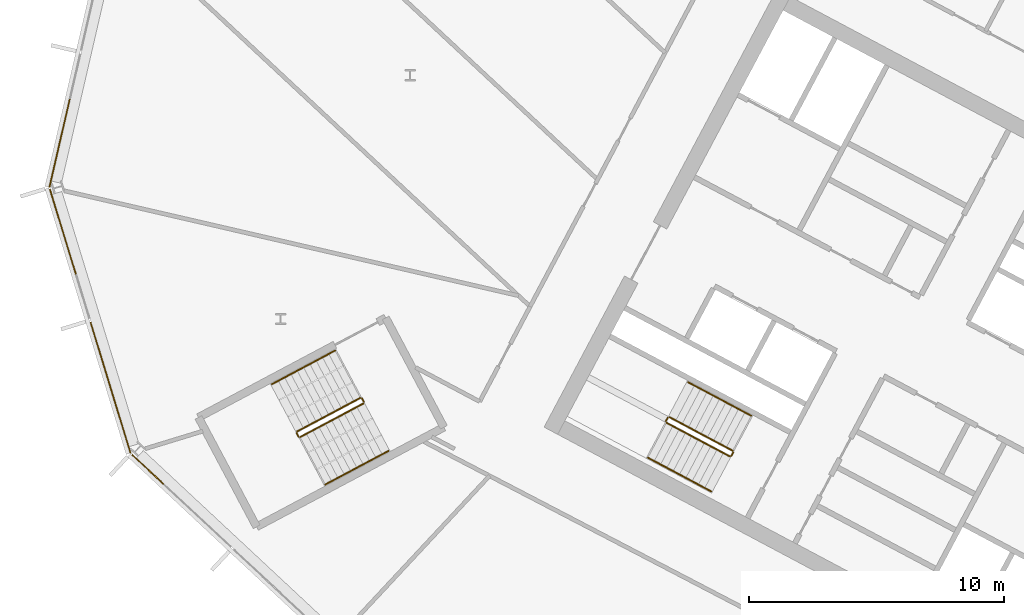
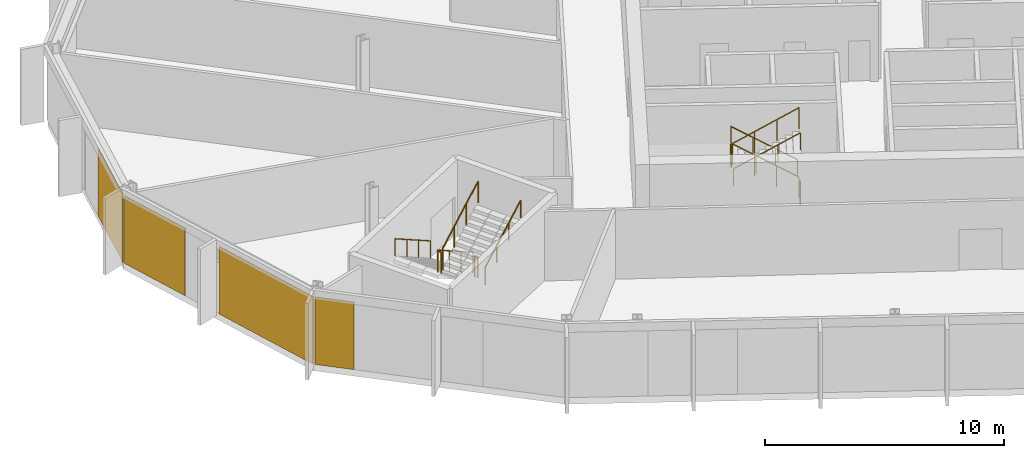
# One storey, part 20 of 26: 12 railings, 4 coverings, 3 elements without a shape of their own.
"""IFC4 building model written with IfcOpenShell, lengths in metres."""

from ifc_helpers import new_model, si_unit, direction, frame, origin, origin_2d, place, context, subcontext, project, spatial, polyline, rectangle, outline, extrude, material, layer, layer_set, type_object, element, aggregate, save


model = new_model("IFC4")

# Units and contexts
model_context = context("Model", 3, precision=1e-05, world=origin(), true_north=direction((0.0, 1.0)))
body_context = subcontext(model_context, "Body", "Model", "MODEL_VIEW")
ifc_project = project(units=[si_unit("LENGTHUNIT", "METRE"), si_unit("AREAUNIT", "SQUARE_METRE"), si_unit("VOLUMEUNIT", "CUBIC_METRE"), si_unit("PLANEANGLEUNIT", "RADIAN"), si_unit("MASSUNIT", "GRAM", prefix="KILO")], contexts=[model_context])

# Site, building, storey
site_placement = place(None, origin())
site = spatial("IfcSite", under=ifc_project, at=site_placement, CompositionType="ELEMENT")
building_placement = place(site_placement, origin())
building = spatial("IfcBuilding", under=site, at=building_placement, Name="Cormorant Relay Tower", CompositionType="ELEMENT")
storey_placement = place(building_placement, frame((0.0, 0.0, 220.800048828125)))
storey = spatial("IfcBuildingStorey", under=building, at=storey_placement, Name="L48", CompositionType="ELEMENT", Elevation=220.800048828125)

# Curtain wall, covering
ifc_material_1 = material(Name="Aluminium 6063-T6 anodised bronze", Category="aluminium")
ifc_layer_1 = layer(ifc_material_1, 0.199951171875)
ifc_layer_set_1 = layer_set([ifc_layer_1], Name="CW1 unitised bronze curtain wall with vertical fins")
curtain_wall_type = type_object("IfcCurtainWallType", Name="CW1 unitised bronze curtain wall with vertical fins", PredefinedType="NOTDEFINED", material=ifc_layer_set_1)
curtain_wall_1_placement = place(storey_placement, origin())
curtain_wall_1 = element("IfcCurtainWall", 1, at=curtain_wall_1_placement, inside=storey, type_object=curtain_wall_type, Name="CW1 curtain wall 13", PredefinedType="NOTDEFINED")
ifc_material_2 = material(Name="Pale bronze anodised aluminium insulated panel", Category="aluminium")
ifc_layer_2 = layer(ifc_material_2, 0.0400390625)
ifc_layer_set_2 = layer_set([ifc_layer_2], Name="CW1 pale bronze insulated panel 40")
covering_type = type_object("IfcCoveringType", Name="CW1 pale bronze insulated panel 40", PredefinedType="CLADDING", material=ifc_layer_set_2)
covering_1_placement = place(storey_placement, frame((-60.3388671875, 22.13232421875, 0.0), z_axis=(0.0, 0.0, 1.0), x_axis=(-0.224951054344, -0.974370064785, 0.0)))
covering_1 = element("IfcCovering", 2, at=covering_1_placement, type_object=covering_type, Name="CW1 panel S02", PredefinedType="CLADDING", context=body_context, shape_type="SweptSolid", body=[
    extrude(rectangle(XDim=3.560302734375, YDim=0.0400390625, at=origin_2d()), origin(), (0.0, 0.0, 1.0), 3.449951171875),
])
aggregate(curtain_wall_1, [covering_1])

# Curtain wall, coverings
curtain_wall_2_placement = place(storey_placement, origin())
curtain_wall_2 = element("IfcCurtainWall", 3, at=curtain_wall_2_placement, inside=storey, type_object=curtain_wall_type, Name="CW1 curtain wall 14", PredefinedType="NOTDEFINED")
covering_2_placement = place(storey_placement, frame((-60.20751953125, 18.6494140625, 0.0), z_axis=(0.0, 0.0, 1.0), x_axis=(0.292371704723, -0.956304755963, 0.0)))
covering_2 = element("IfcCovering", 4, at=covering_2_placement, type_object=covering_type, Name="CW1 panel S00", PredefinedType="CLADDING", context=body_context, shape_type="SweptSolid", body=[
    extrude(rectangle(XDim=3.485107421875, YDim=0.0400390625, at=origin_2d()), origin(), (0.0, 0.0, 1.0), 3.449951171875),
])
covering_3_placement = place(storey_placement, frame((-58.344482421875, 12.55517578125, 0.0), z_axis=(0.0, 0.0, 1.0), x_axis=(0.292371704723, -0.956304755963, 0.0)))
covering_3 = element("IfcCovering", 5, at=covering_3_placement, type_object=covering_type, Name="CW1 panel S02", PredefinedType="CLADDING", context=body_context, shape_type="SweptSolid", body=[
    extrude(rectangle(XDim=5.360107421875, YDim=0.0400390625, at=origin_2d()), origin(), (0.0, 0.0, 1.0), 3.449951171875),
])
aggregate(curtain_wall_2, [covering_2, covering_3])

# Curtain wall, covering
curtain_wall_3_placement = place(storey_placement, origin())
curtain_wall_3 = element("IfcCurtainWall", 6, at=curtain_wall_3_placement, inside=storey, type_object=curtain_wall_type, Name="CW1 curtain wall 15", PredefinedType="NOTDEFINED")
covering_4_placement = place(storey_placement, frame((-56.88427734375, 9.357421875, 0.0), z_axis=(0.0, 0.0, 1.0), x_axis=(0.731353701619, -0.681998360062, 0.0)))
covering_4 = element("IfcCovering", 7, at=covering_4_placement, type_object=covering_type, Name="CW1 panel S00", PredefinedType="CLADDING", context=body_context, shape_type="SweptSolid", body=[
    extrude(rectangle(XDim=1.685302734375, YDim=0.0400390625, at=origin_2d()), origin(), (0.0, 0.0, 1.0), 3.449951171875),
])
aggregate(curtain_wall_3, [covering_4])

# Railings
ifc_material_3 = material(Name="Steel ASTM A572 Grade 50 (Fy 345 MPa)", Category="steel")
railing_type_1 = type_object("IfcRailingType", Name="Stair guard 1100", PredefinedType="GUARDRAIL", material=ifc_material_3)
railing_1_placement = place(storey_placement, frame((-33.9921875, 10.08935546875, 0.17724609375)))
element("IfcRailing", 8, at=railing_1_placement, inside=storey, type_object=railing_type_1, Name="L48 A2 stair guard 1", PredefinedType="GUARDRAIL", context=body_context, shape_type="SweptSolid", body=[
    extrude(outline(polyline([(0.022216796875, 0.00927734375), (0.00927734375, 0.022216796875), (-0.00927734375, 0.022216796875), (-0.022216796875, 0.00927734375), (-0.022216796875, -0.00927734375), (-0.00927734375, -0.022216796875), (0.00927734375, -0.022216796875), (0.022216796875, -0.00927734375), (0.022216796875, 0.00927734375)])), frame((0.0, 0.0, 1.076171875), z_axis=(-0.746001213114, 0.396649272309, 0.534931345884), x_axis=(-0.469465464807, -0.882950835185, 0.0)), (0.0, 0.0, 1.0), 3.31396484375),
    extrude(outline(polyline([(0.019287109375, 0.008056640625), (0.008056640625, 0.019287109375), (-0.008056640625, 0.019287109375), (-0.019287109375, 0.008056640625), (-0.019287109375, -0.008056640625), (-0.008056640625, -0.019287109375), (0.008056640625, -0.019287109375), (0.019287109375, -0.008056640625), (0.019287109375, 0.008056640625)])), origin(), (0.0, 0.0, 1.0), 1.052001953125),
    extrude(outline(polyline([(0.019287109375, 0.008056640625), (0.008056640625, 0.019287109375), (-0.008056640625, 0.019287109375), (-0.019287109375, 0.008056640625), (-0.019287109375, -0.008056640625), (-0.008056640625, -0.019287109375), (0.008056640625, -0.019287109375), (0.019287109375, -0.008056640625), (0.019287109375, 0.008056640625)])), frame((-0.823974609375, 0.438232421875, 0.5908203125)), (0.0, 0.0, 1.0), 1.052001953125),
    extrude(outline(polyline([(0.019287109375, 0.008056640625), (0.008056640625, 0.019287109375), (-0.008056640625, 0.019287109375), (-0.019287109375, 0.008056640625), (-0.019287109375, -0.008056640625), (-0.008056640625, -0.019287109375), (0.008056640625, -0.019287109375), (0.019287109375, -0.008056640625), (0.019287109375, 0.008056640625)])), frame((-1.648193359375, 0.876220703125, 1.181884765625)), (0.0, 0.0, 1.0), 1.052001953125),
    extrude(outline(polyline([(0.019287109375, 0.008056640625), (0.008056640625, 0.019287109375), (-0.008056640625, 0.019287109375), (-0.019287109375, 0.008056640625), (-0.019287109375, -0.008056640625), (-0.008056640625, -0.019287109375), (0.008056640625, -0.019287109375), (0.019287109375, -0.008056640625), (0.019287109375, 0.008056640625)])), frame((-2.47216796875, 1.314453125, 1.772705078125)), (0.0, 0.0, 1.0), 1.052001953125),
])
railing_2_placement = place(storey_placement, frame((-36.531982421875, 11.38330078125, 1.949951171875)))
element("IfcRailing", 9, at=railing_2_placement, inside=storey, type_object=railing_type_1, Name="L48 A2 stair guard 2", PredefinedType="GUARDRAIL", context=body_context, shape_type="SweptSolid", body=[
    extrude(outline(polyline([(0.022216796875, 0.00927734375), (0.00927734375, 0.022216796875), (-0.00927734375, 0.022216796875), (-0.022216796875, 0.00927734375), (-0.022216796875, -0.00927734375), (-0.00927734375, -0.022216796875), (0.00927734375, -0.022216796875), (0.022216796875, -0.00927734375), (0.022216796875, 0.00927734375)])), frame((0.0, 0.0, 1.076171875), z_axis=(-0.469828648786, -0.882757634224, 0.0), x_axis=(0.882757634224, -0.469828648786, 0.0)), (0.0, 0.0, 1.0), 0.150146484375),
    extrude(outline(polyline([(0.019287109375, 0.008056640625), (0.008056640625, 0.019287109375), (-0.008056640625, 0.019287109375), (-0.019287109375, 0.008056640625), (-0.019287109375, -0.008056640625), (-0.008056640625, -0.019287109375), (0.008056640625, -0.019287109375), (0.019287109375, -0.008056640625), (0.019287109375, 0.008056640625)])), origin(), (0.0, 0.0, 1.0), 1.052001953125),
    extrude(outline(polyline([(0.019287109375, 0.008056640625), (0.008056640625, 0.019287109375), (-0.008056640625, 0.019287109375), (-0.019287109375, 0.008056640625), (-0.019287109375, -0.008056640625), (-0.008056640625, -0.019287109375), (0.008056640625, -0.019287109375), (0.019287109375, -0.008056640625), (0.019287109375, 0.008056640625)])), frame((-0.070556640625, -0.132568359375, 0.0)), (0.0, 0.0, 1.0), 1.052001953125),
])
railing_3_placement = place(storey_placement, frame((-36.581787109375, 11.18310546875, 2.127197265625)))
element("IfcRailing", 10, at=railing_3_placement, inside=storey, type_object=railing_type_1, Name="L48 A2 stair guard 3", PredefinedType="GUARDRAIL", context=body_context, shape_type="SweptSolid", body=[
    extrude(outline(polyline([(0.022216796875, 0.00927734375), (0.00927734375, 0.022216796875), (-0.00927734375, 0.022216796875), (-0.022216796875, 0.00927734375), (-0.022216796875, -0.00927734375), (-0.00927734375, -0.022216796875), (0.00927734375, -0.022216796875), (0.022216796875, -0.00927734375), (0.022216796875, 0.00927734375)])), frame((0.0, 0.0, 1.076171875), z_axis=(0.746001213114, -0.396649272309, 0.534931345884), x_axis=(0.469465464807, 0.882950835185, 0.0)), (0.0, 0.0, 1.0), 3.31396484375),
    extrude(outline(polyline([(0.019287109375, 0.008056640625), (0.008056640625, 0.019287109375), (-0.008056640625, 0.019287109375), (-0.019287109375, 0.008056640625), (-0.019287109375, -0.008056640625), (-0.008056640625, -0.019287109375), (0.008056640625, -0.019287109375), (0.019287109375, -0.008056640625), (0.019287109375, 0.008056640625)])), origin(), (0.0, 0.0, 1.0), 1.052001953125),
    extrude(outline(polyline([(0.019287109375, 0.008056640625), (0.008056640625, 0.019287109375), (-0.008056640625, 0.019287109375), (-0.019287109375, 0.008056640625), (-0.019287109375, -0.008056640625), (-0.008056640625, -0.019287109375), (0.008056640625, -0.019287109375), (0.019287109375, -0.008056640625), (0.019287109375, 0.008056640625)])), frame((0.823974609375, -0.438232421875, 0.5908203125)), (0.0, 0.0, 1.0), 1.052001953125),
    extrude(outline(polyline([(0.019287109375, 0.008056640625), (0.008056640625, 0.019287109375), (-0.008056640625, 0.019287109375), (-0.019287109375, 0.008056640625), (-0.019287109375, -0.008056640625), (-0.008056640625, -0.019287109375), (0.008056640625, -0.019287109375), (0.019287109375, -0.008056640625), (0.019287109375, 0.008056640625)])), frame((1.648193359375, -0.876220703125, 1.181884765625)), (0.0, 0.0, 1.0), 1.052001953125),
    extrude(outline(polyline([(0.019287109375, 0.008056640625), (0.008056640625, 0.019287109375), (-0.008056640625, 0.019287109375), (-0.019287109375, 0.008056640625), (-0.019287109375, -0.008056640625), (-0.008056640625, -0.019287109375), (0.008056640625, -0.019287109375), (0.019287109375, -0.008056640625), (0.019287109375, 0.008056640625)])), frame((2.47216796875, -1.314453125, 1.772705078125)), (0.0, 0.0, 1.0), 1.052001953125),
])
railing_4_placement = place(storey_placement, frame((-33.971435546875, 10.021728515625, 0.0)))
element("IfcRailing", 11, at=railing_4_placement, inside=storey, type_object=railing_type_1, Name="L48 A2 stair guard 4", PredefinedType="GUARDRAIL", context=body_context, shape_type="SweptSolid", body=[
    extrude(outline(polyline([(0.022216796875, 0.00927734375), (0.00927734375, 0.022216796875), (-0.00927734375, 0.022216796875), (-0.022216796875, 0.00927734375), (-0.022216796875, -0.00927734375), (-0.00927734375, -0.022216796875), (0.00927734375, -0.022216796875), (0.022216796875, -0.00927734375), (0.022216796875, 0.00927734375)])), frame((0.0, 0.0, 1.076171875), z_axis=(-0.470503732759, -0.882398003998, 0.0), x_axis=(0.882398003998, -0.470503732759, 0.0)), (0.0, 0.0, 1.0), 0.14990234375),
    extrude(outline(polyline([(0.019287109375, 0.008056640625), (0.008056640625, 0.019287109375), (-0.008056640625, 0.019287109375), (-0.019287109375, 0.008056640625), (-0.019287109375, -0.008056640625), (-0.008056640625, -0.019287109375), (0.008056640625, -0.019287109375), (0.019287109375, -0.008056640625), (0.019287109375, 0.008056640625)])), origin(), (0.0, 0.0, 1.0), 1.052001953125),
    extrude(outline(polyline([(0.019287109375, 0.008056640625), (0.008056640625, 0.019287109375), (-0.008056640625, 0.019287109375), (-0.019287109375, 0.008056640625), (-0.019287109375, -0.008056640625), (-0.008056640625, -0.019287109375), (0.008056640625, -0.019287109375), (0.019287109375, -0.008056640625), (0.019287109375, 0.008056640625)])), frame((-0.070556640625, -0.13232421875, 0.0)), (0.0, 0.0, 1.0), 1.052001953125),
])
railing_5_placement = place(storey_placement, frame((-48.5693359375, 12.155517578125, 0.17724609375)))
element("IfcRailing", 12, at=railing_5_placement, inside=storey, type_object=railing_type_1, Name="L48 RP1 stair guard 1", PredefinedType="GUARDRAIL", context=body_context, shape_type="SweptSolid", body=[
    extrude(outline(polyline([(0.022216796875, 0.00927734375), (0.00927734375, 0.022216796875), (-0.00927734375, 0.022216796875), (-0.022216796875, 0.00927734375), (-0.022216796875, -0.00927734375), (-0.00927734375, -0.022216796875), (0.00927734375, -0.022216796875), (0.022216796875, -0.00927734375), (0.022216796875, 0.00927734375)])), frame((0.0, 0.0, 1.076171875), z_axis=(-0.746012083385, -0.396689549623, 0.534886317514), x_axis=(0.469497295046, -0.882933910293, 0.0)), (0.0, 0.0, 1.0), 3.314208984375),
    extrude(outline(polyline([(0.019287109375, 0.008056640625), (0.008056640625, 0.019287109375), (-0.008056640625, 0.019287109375), (-0.019287109375, 0.008056640625), (-0.019287109375, -0.008056640625), (-0.008056640625, -0.019287109375), (0.008056640625, -0.019287109375), (0.019287109375, -0.008056640625), (0.019287109375, 0.008056640625)])), origin(), (0.0, 0.0, 1.0), 1.052001953125),
    extrude(outline(polyline([(0.019287109375, 0.008056640625), (0.008056640625, 0.019287109375), (-0.008056640625, 0.019287109375), (-0.019287109375, 0.008056640625), (-0.019287109375, -0.008056640625), (-0.008056640625, -0.019287109375), (0.008056640625, -0.019287109375), (0.019287109375, -0.008056640625), (0.019287109375, 0.008056640625)])), frame((-0.82421875, -0.438232421875, 0.5908203125)), (0.0, 0.0, 1.0), 1.052001953125),
    extrude(outline(polyline([(0.019287109375, 0.008056640625), (0.008056640625, 0.019287109375), (-0.008056640625, 0.019287109375), (-0.019287109375, 0.008056640625), (-0.019287109375, -0.008056640625), (-0.008056640625, -0.019287109375), (0.008056640625, -0.019287109375), (0.019287109375, -0.008056640625), (0.019287109375, 0.008056640625)])), frame((-1.648193359375, -0.87646484375, 1.181884765625)), (0.0, 0.0, 1.0), 1.052001953125),
    extrude(outline(polyline([(0.019287109375, 0.008056640625), (0.008056640625, 0.019287109375), (-0.008056640625, 0.019287109375), (-0.019287109375, 0.008056640625), (-0.019287109375, -0.008056640625), (-0.008056640625, -0.019287109375), (0.008056640625, -0.019287109375), (0.019287109375, -0.008056640625), (0.019287109375, 0.008056640625)])), frame((-2.472412109375, -1.314697265625, 1.772705078125)), (0.0, 0.0, 1.0), 1.052001953125),
])
railing_6_placement = place(storey_placement, frame((-51.062255859375, 10.773193359375, 1.949951171875)))
element("IfcRailing", 13, at=railing_6_placement, inside=storey, type_object=railing_type_1, Name="L48 RP1 stair guard 2", PredefinedType="GUARDRAIL", context=body_context, shape_type="SweptSolid", body=[
    extrude(outline(polyline([(0.022216796875, 0.00927734375), (0.00927734375, 0.022216796875), (-0.00927734375, 0.022216796875), (-0.022216796875, 0.00927734375), (-0.022216796875, -0.00927734375), (-0.00927734375, -0.022216796875), (0.00927734375, -0.022216796875), (0.022216796875, -0.00927734375), (0.022216796875, 0.00927734375)])), frame((0.0, 0.0, 1.076171875), z_axis=(0.469234640946, -0.883073525669, 0.0), x_axis=(0.883073525669, 0.469234640946, 0.0)), (0.0, 0.0, 1.0), 0.14990234375),
    extrude(outline(polyline([(0.019287109375, 0.008056640625), (0.008056640625, 0.019287109375), (-0.008056640625, 0.019287109375), (-0.019287109375, 0.008056640625), (-0.019287109375, -0.008056640625), (-0.008056640625, -0.019287109375), (0.008056640625, -0.019287109375), (0.019287109375, -0.008056640625), (0.019287109375, 0.008056640625)])), origin(), (0.0, 0.0, 1.0), 1.052001953125),
    extrude(outline(polyline([(0.019287109375, 0.008056640625), (0.008056640625, 0.019287109375), (-0.008056640625, 0.019287109375), (-0.019287109375, 0.008056640625), (-0.019287109375, -0.008056640625), (-0.008056640625, -0.019287109375), (0.008056640625, -0.019287109375), (0.019287109375, -0.008056640625), (0.019287109375, 0.008056640625)])), frame((0.0703125, -0.13232421875, 0.0)), (0.0, 0.0, 1.0), 1.052001953125),
])
railing_7_placement = place(storey_placement, frame((-50.92431640625, 10.6201171875, 2.127197265625)))
element("IfcRailing", 14, at=railing_7_placement, inside=storey, type_object=railing_type_1, Name="L48 RP1 stair guard 3", PredefinedType="GUARDRAIL", context=body_context, shape_type="SweptSolid", body=[
    extrude(outline(polyline([(0.022216796875, 0.00927734375), (0.00927734375, 0.022216796875), (-0.00927734375, 0.022216796875), (-0.022216796875, 0.00927734375), (-0.022216796875, -0.00927734375), (-0.00927734375, -0.022216796875), (0.00927734375, -0.022216796875), (0.022216796875, -0.00927734375), (0.022216796875, 0.00927734375)])), frame((0.0, 0.0, 1.076171875), z_axis=(0.746033882577, 0.396627473466, 0.534901947407), x_axis=(-0.469429322983, 0.882970050864, 0.0)), (0.0, 0.0, 1.0), 3.31396484375),
    extrude(outline(polyline([(0.019287109375, 0.008056640625), (0.008056640625, 0.019287109375), (-0.008056640625, 0.019287109375), (-0.019287109375, 0.008056640625), (-0.019287109375, -0.008056640625), (-0.008056640625, -0.019287109375), (0.008056640625, -0.019287109375), (0.019287109375, -0.008056640625), (0.019287109375, 0.008056640625)])), origin(), (0.0, 0.0, 1.0), 1.052001953125),
    extrude(outline(polyline([(0.019287109375, 0.008056640625), (0.008056640625, 0.019287109375), (-0.008056640625, 0.019287109375), (-0.019287109375, 0.008056640625), (-0.019287109375, -0.008056640625), (-0.008056640625, -0.019287109375), (0.008056640625, -0.019287109375), (0.019287109375, -0.008056640625), (0.019287109375, 0.008056640625)])), frame((0.82421875, 0.438232421875, 0.5908203125)), (0.0, 0.0, 1.0), 1.052001953125),
    extrude(outline(polyline([(0.019287109375, 0.008056640625), (0.008056640625, 0.019287109375), (-0.008056640625, 0.019287109375), (-0.019287109375, 0.008056640625), (-0.019287109375, -0.008056640625), (-0.008056640625, -0.019287109375), (0.008056640625, -0.019287109375), (0.019287109375, -0.008056640625), (0.019287109375, 0.008056640625)])), frame((1.648193359375, 0.876220703125, 1.181884765625)), (0.0, 0.0, 1.0), 1.052001953125),
    extrude(outline(polyline([(0.019287109375, 0.008056640625), (0.008056640625, 0.019287109375), (-0.008056640625, 0.019287109375), (-0.019287109375, 0.008056640625), (-0.019287109375, -0.008056640625), (-0.008056640625, -0.019287109375), (0.008056640625, -0.019287109375), (0.019287109375, -0.008056640625), (0.019287109375, 0.008056640625)])), frame((2.472412109375, 1.314453125, 1.772705078125)), (0.0, 0.0, 1.0), 1.052001953125),
])
railing_8_placement = place(storey_placement, frame((-48.501708984375, 12.134765625, 0.0)))
element("IfcRailing", 15, at=railing_8_placement, inside=storey, type_object=railing_type_1, Name="L48 RP1 stair guard 4", PredefinedType="GUARDRAIL", context=body_context, shape_type="SweptSolid", body=[
    extrude(outline(polyline([(0.022216796875, 0.00927734375), (0.00927734375, 0.022216796875), (-0.00927734375, 0.022216796875), (-0.022216796875, 0.00927734375), (-0.022216796875, -0.00927734375), (-0.00927734375, -0.022216796875), (0.00927734375, -0.022216796875), (0.022216796875, -0.00927734375), (0.022216796875, 0.00927734375)])), frame((0.0, 0.0, 1.076171875), z_axis=(0.46856034887, -0.8834314911, 0.0), x_axis=(0.8834314911, 0.46856034887, 0.0)), (0.0, 0.0, 1.0), 0.150146484375),
    extrude(outline(polyline([(0.019287109375, 0.008056640625), (0.008056640625, 0.019287109375), (-0.008056640625, 0.019287109375), (-0.019287109375, 0.008056640625), (-0.019287109375, -0.008056640625), (-0.008056640625, -0.019287109375), (0.008056640625, -0.019287109375), (0.019287109375, -0.008056640625), (0.019287109375, 0.008056640625)])), origin(), (0.0, 0.0, 1.0), 1.052001953125),
    extrude(outline(polyline([(0.019287109375, 0.008056640625), (0.008056640625, 0.019287109375), (-0.008056640625, 0.019287109375), (-0.019287109375, 0.008056640625), (-0.019287109375, -0.008056640625), (-0.008056640625, -0.019287109375), (0.008056640625, -0.019287109375), (0.019287109375, -0.008056640625), (0.019287109375, 0.008056640625)])), frame((0.0703125, -0.132568359375, 0.0)), (0.0, 0.0, 1.0), 1.052001953125),
])
ifc_material_4 = material(Name="Steel ASTM A572 Grade 50 (Fy 345 MPa)", Category="steel")
railing_type_2 = type_object("IfcRailingType", Name="Stair handrail 900", PredefinedType="HANDRAIL", material=ifc_material_4)
railing_9_placement = place(storey_placement, frame((-33.264404296875, 11.4580078125, 0.17724609375)))
element("IfcRailing", 16, at=railing_9_placement, inside=storey, type_object=railing_type_2, Name="L48 A2 stair handrail 1", PredefinedType="HANDRAIL", context=body_context, shape_type="SweptSolid", body=[
    extrude(outline(polyline([(0.022216796875, 0.00927734375), (0.00927734375, 0.022216796875), (-0.00927734375, 0.022216796875), (-0.022216796875, 0.00927734375), (-0.022216796875, -0.00927734375), (-0.00927734375, -0.022216796875), (0.00927734375, -0.022216796875), (0.022216796875, -0.00927734375), (0.022216796875, 0.00927734375)])), frame((0.0, 0.0, 0.8759765625), z_axis=(-0.746033882577, 0.396627473466, 0.534901947407), x_axis=(-0.469429322983, -0.882970050864, 0.0)), (0.0, 0.0, 1.0), 3.31396484375),
    extrude(outline(polyline([(0.019287109375, 0.008056640625), (0.008056640625, 0.019287109375), (-0.008056640625, 0.019287109375), (-0.019287109375, 0.008056640625), (-0.019287109375, -0.008056640625), (-0.008056640625, -0.019287109375), (0.008056640625, -0.019287109375), (0.019287109375, -0.008056640625), (0.019287109375, 0.008056640625)])), origin(), (0.0, 0.0, 1.0), 0.851806640625),
    extrude(outline(polyline([(0.019287109375, 0.008056640625), (0.008056640625, 0.019287109375), (-0.008056640625, 0.019287109375), (-0.019287109375, 0.008056640625), (-0.019287109375, -0.008056640625), (-0.008056640625, -0.019287109375), (0.008056640625, -0.019287109375), (0.019287109375, -0.008056640625), (0.019287109375, 0.008056640625)])), frame((-0.82421875, 0.438232421875, 0.5908203125)), (0.0, 0.0, 1.0), 0.851806640625),
    extrude(outline(polyline([(0.019287109375, 0.008056640625), (0.008056640625, 0.019287109375), (-0.008056640625, 0.019287109375), (-0.019287109375, 0.008056640625), (-0.019287109375, -0.008056640625), (-0.008056640625, -0.019287109375), (0.008056640625, -0.019287109375), (0.019287109375, -0.008056640625), (0.019287109375, 0.008056640625)])), frame((-1.648193359375, 0.876220703125, 1.181884765625)), (0.0, 0.0, 1.0), 0.851806640625),
    extrude(outline(polyline([(0.019287109375, 0.008056640625), (0.008056640625, 0.019287109375), (-0.008056640625, 0.019287109375), (-0.019287109375, 0.008056640625), (-0.019287109375, -0.008056640625), (-0.008056640625, -0.019287109375), (0.008056640625, -0.019287109375), (0.019287109375, -0.008056640625), (0.019287109375, 0.008056640625)])), frame((-2.472412109375, 1.314453125, 1.772705078125)), (0.0, 0.0, 1.0), 0.851806640625),
])
railing_10_placement = place(storey_placement, frame((-37.3095703125, 9.814453125, 2.127197265625)))
element("IfcRailing", 17, at=railing_10_placement, inside=storey, type_object=railing_type_2, Name="L48 A2 stair handrail 2", PredefinedType="HANDRAIL", context=body_context, shape_type="SweptSolid", body=[
    extrude(outline(polyline([(0.022216796875, 0.00927734375), (0.00927734375, 0.022216796875), (-0.00927734375, 0.022216796875), (-0.022216796875, 0.00927734375), (-0.022216796875, -0.00927734375), (-0.00927734375, -0.022216796875), (0.00927734375, -0.022216796875), (0.022216796875, -0.00927734375), (0.022216796875, 0.00927734375)])), frame((0.0, 0.0, 0.8759765625), z_axis=(0.746033882577, -0.396627473466, 0.534901947407), x_axis=(0.469429322983, 0.882970050864, 0.0)), (0.0, 0.0, 1.0), 3.31396484375),
    extrude(outline(polyline([(0.019287109375, 0.008056640625), (0.008056640625, 0.019287109375), (-0.008056640625, 0.019287109375), (-0.019287109375, 0.008056640625), (-0.019287109375, -0.008056640625), (-0.008056640625, -0.019287109375), (0.008056640625, -0.019287109375), (0.019287109375, -0.008056640625), (0.019287109375, 0.008056640625)])), origin(), (0.0, 0.0, 1.0), 0.851806640625),
    extrude(outline(polyline([(0.019287109375, 0.008056640625), (0.008056640625, 0.019287109375), (-0.008056640625, 0.019287109375), (-0.019287109375, 0.008056640625), (-0.019287109375, -0.008056640625), (-0.008056640625, -0.019287109375), (0.008056640625, -0.019287109375), (0.019287109375, -0.008056640625), (0.019287109375, 0.008056640625)])), frame((0.82421875, -0.438232421875, 0.5908203125)), (0.0, 0.0, 1.0), 0.851806640625),
    extrude(outline(polyline([(0.019287109375, 0.008056640625), (0.008056640625, 0.019287109375), (-0.008056640625, 0.019287109375), (-0.019287109375, 0.008056640625), (-0.019287109375, -0.008056640625), (-0.008056640625, -0.019287109375), (0.008056640625, -0.019287109375), (0.019287109375, -0.008056640625), (0.019287109375, 0.008056640625)])), frame((1.648193359375, -0.876220703125, 1.181884765625)), (0.0, 0.0, 1.0), 0.851806640625),
    extrude(outline(polyline([(0.019287109375, 0.008056640625), (0.008056640625, 0.019287109375), (-0.008056640625, 0.019287109375), (-0.019287109375, 0.008056640625), (-0.019287109375, -0.008056640625), (-0.008056640625, -0.019287109375), (0.008056640625, -0.019287109375), (0.019287109375, -0.008056640625), (0.019287109375, 0.008056640625)])), frame((2.472412109375, -1.314453125, 1.772705078125)), (0.0, 0.0, 1.0), 0.851806640625),
])
railing_11_placement = place(storey_placement, frame((-49.55517578125, 14.009521484375, 0.17724609375)))
element("IfcRailing", 18, at=railing_11_placement, inside=storey, type_object=railing_type_2, Name="L48 RP1 stair handrail 1", PredefinedType="HANDRAIL", context=body_context, shape_type="SweptSolid", body=[
    extrude(outline(polyline([(0.022216796875, 0.00927734375), (0.00927734375, 0.022216796875), (-0.00927734375, 0.022216796875), (-0.022216796875, 0.00927734375), (-0.022216796875, -0.00927734375), (-0.00927734375, -0.022216796875), (0.00927734375, -0.022216796875), (0.022216796875, -0.00927734375), (0.022216796875, 0.00927734375)])), frame((0.0, 0.0, 0.8759765625), z_axis=(-0.746033882577, -0.396627473466, 0.534901947407), x_axis=(0.469429322983, -0.882970050864, 0.0)), (0.0, 0.0, 1.0), 3.31396484375),
    extrude(outline(polyline([(0.019287109375, 0.008056640625), (0.008056640625, 0.019287109375), (-0.008056640625, 0.019287109375), (-0.019287109375, 0.008056640625), (-0.019287109375, -0.008056640625), (-0.008056640625, -0.019287109375), (0.008056640625, -0.019287109375), (0.019287109375, -0.008056640625), (0.019287109375, 0.008056640625)])), origin(), (0.0, 0.0, 1.0), 0.851806640625),
    extrude(outline(polyline([(0.019287109375, 0.008056640625), (0.008056640625, 0.019287109375), (-0.008056640625, 0.019287109375), (-0.019287109375, 0.008056640625), (-0.019287109375, -0.008056640625), (-0.008056640625, -0.019287109375), (0.008056640625, -0.019287109375), (0.019287109375, -0.008056640625), (0.019287109375, 0.008056640625)])), frame((-0.82421875, -0.438232421875, 0.5908203125)), (0.0, 0.0, 1.0), 0.851806640625),
    extrude(outline(polyline([(0.019287109375, 0.008056640625), (0.008056640625, 0.019287109375), (-0.008056640625, 0.019287109375), (-0.019287109375, 0.008056640625), (-0.019287109375, -0.008056640625), (-0.008056640625, -0.019287109375), (0.008056640625, -0.019287109375), (0.019287109375, -0.008056640625), (0.019287109375, 0.008056640625)])), frame((-1.648193359375, -0.876220703125, 1.181884765625)), (0.0, 0.0, 1.0), 0.851806640625),
    extrude(outline(polyline([(0.019287109375, 0.008056640625), (0.008056640625, 0.019287109375), (-0.008056640625, 0.019287109375), (-0.019287109375, 0.008056640625), (-0.019287109375, -0.008056640625), (-0.008056640625, -0.019287109375), (0.008056640625, -0.019287109375), (0.019287109375, -0.008056640625), (0.019287109375, 0.008056640625)])), frame((-2.472412109375, -1.314453125, 1.772705078125)), (0.0, 0.0, 1.0), 0.851806640625),
])
railing_12_placement = place(storey_placement, frame((-49.9384765625, 8.765869140625, 2.127197265625)))
element("IfcRailing", 19, at=railing_12_placement, inside=storey, type_object=railing_type_2, Name="L48 RP1 stair handrail 2", PredefinedType="HANDRAIL", context=body_context, shape_type="SweptSolid", body=[
    extrude(outline(polyline([(0.022216796875, 0.00927734375), (0.00927734375, 0.022216796875), (-0.00927734375, 0.022216796875), (-0.022216796875, 0.00927734375), (-0.022216796875, -0.00927734375), (-0.00927734375, -0.022216796875), (0.00927734375, -0.022216796875), (0.022216796875, -0.00927734375), (0.022216796875, 0.00927734375)])), frame((0.0, 0.0, 0.8759765625), z_axis=(0.746012083385, 0.396689549623, 0.534886317514), x_axis=(-0.469497295046, 0.882933910293, 0.0)), (0.0, 0.0, 1.0), 3.314208984375),
    extrude(outline(polyline([(0.019287109375, 0.008056640625), (0.008056640625, 0.019287109375), (-0.008056640625, 0.019287109375), (-0.019287109375, 0.008056640625), (-0.019287109375, -0.008056640625), (-0.008056640625, -0.019287109375), (0.008056640625, -0.019287109375), (0.019287109375, -0.008056640625), (0.019287109375, 0.008056640625)])), origin(), (0.0, 0.0, 1.0), 0.851806640625),
    extrude(outline(polyline([(0.019287109375, 0.008056640625), (0.008056640625, 0.019287109375), (-0.008056640625, 0.019287109375), (-0.019287109375, 0.008056640625), (-0.019287109375, -0.008056640625), (-0.008056640625, -0.019287109375), (0.008056640625, -0.019287109375), (0.019287109375, -0.008056640625), (0.019287109375, 0.008056640625)])), frame((0.82421875, 0.438232421875, 0.5908203125)), (0.0, 0.0, 1.0), 0.851806640625),
    extrude(outline(polyline([(0.019287109375, 0.008056640625), (0.008056640625, 0.019287109375), (-0.008056640625, 0.019287109375), (-0.019287109375, 0.008056640625), (-0.019287109375, -0.008056640625), (-0.008056640625, -0.019287109375), (0.008056640625, -0.019287109375), (0.019287109375, -0.008056640625), (0.019287109375, 0.008056640625)])), frame((1.648193359375, 0.87646484375, 1.181884765625)), (0.0, 0.0, 1.0), 0.851806640625),
    extrude(outline(polyline([(0.019287109375, 0.008056640625), (0.008056640625, 0.019287109375), (-0.008056640625, 0.019287109375), (-0.019287109375, 0.008056640625), (-0.019287109375, -0.008056640625), (-0.008056640625, -0.019287109375), (0.008056640625, -0.019287109375), (0.019287109375, -0.008056640625), (0.019287109375, 0.008056640625)])), frame((2.472412109375, 1.314697265625, 1.772705078125)), (0.0, 0.0, 1.0), 0.851806640625),
])

save(model, "model.ifc")
